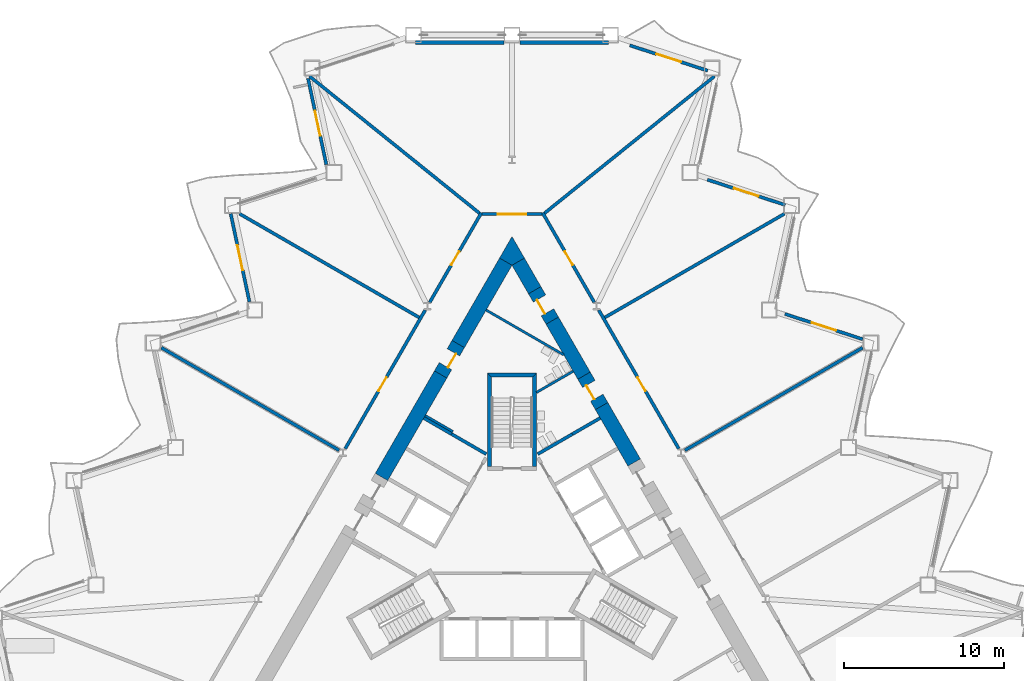
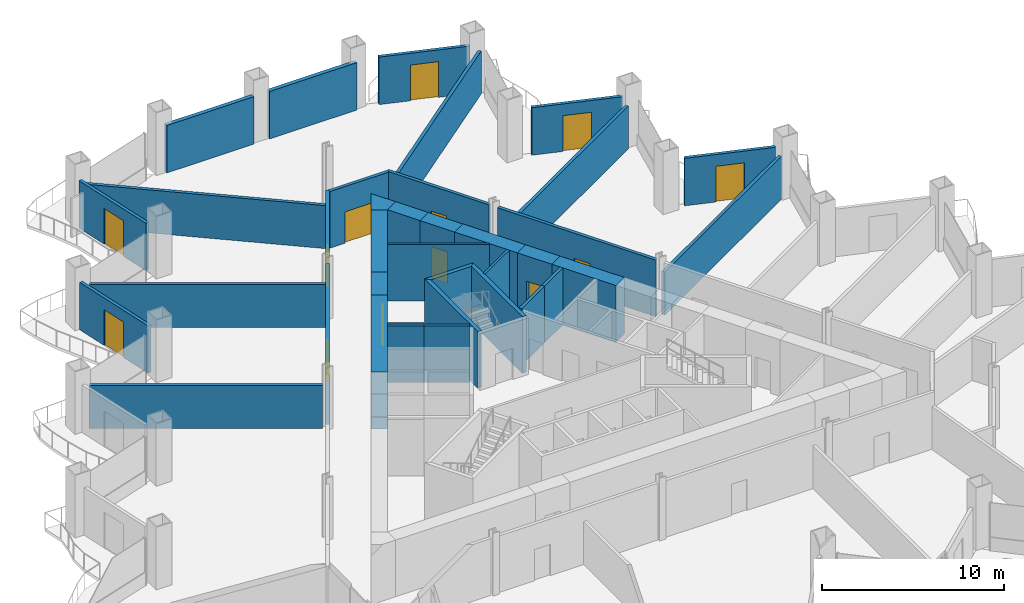
# One storey, part 12 of 21: 37 walls, 13 doors, 13 openings.
"""IFC4 building model written with IfcOpenShell, lengths in metres."""

from ifc_helpers import new_model, si_unit, direction, frame, frame_2d, origin, place, context, subcontext, project, spatial, polyline, rectangle, outline, extrude, material, layer, layer_set, type_object, element, fill, save


model = new_model("IFC4")

# Units and contexts
model_context = context("Model", 3, precision=1e-05, world=origin(), true_north=direction((0.0, 1.0)))
body_context = subcontext(model_context, "Body", "Model", "MODEL_VIEW")
ifc_project = project(units=[si_unit("LENGTHUNIT", "METRE"), si_unit("AREAUNIT", "SQUARE_METRE"), si_unit("VOLUMEUNIT", "CUBIC_METRE"), si_unit("PLANEANGLEUNIT", "RADIAN"), si_unit("MASSUNIT", "GRAM", prefix="KILO")], contexts=[model_context])

# Site, building, storey
site_placement = place(None, origin())
site = spatial("IfcSite", under=ifc_project, at=site_placement, CompositionType="ELEMENT")
building_placement = place(site_placement, origin())
building = spatial("IfcBuilding", under=site, at=building_placement, Name="Cormorant Prow Tower", CompositionType="ELEMENT")
storey_placement = place(building_placement, frame((0.0, 0.0, 46.800048828125)))
storey = spatial("IfcBuildingStorey", under=building, at=storey_placement, Name="L09", CompositionType="ELEMENT", Elevation=46.800048828125)

# Walls
ifc_material_1 = material(Name="Gypsum board partition")
ifc_layer_1 = layer(ifc_material_1, 0.14990234375)
ifc_layer_set_1 = layer_set([ifc_layer_1], Name="Gypsum board partition")
wall_type_1 = type_object("IfcWallType", Name="Core partition 150", PredefinedType="PARTITIONING", material=ifc_layer_set_1)
wall_1_placement = place(storey_placement, frame((-3.693359375, 7.4150390625, 0.0), z_axis=(0.0, 0.0, 1.0), x_axis=(-0.866035824272, 0.499981950752, 0.0)))
element("IfcWall", 1, at=wall_1_placement, inside=storey, type_object=wall_type_1, Name="Service room partition", PredefinedType="PARTITIONING", context=body_context, shape_type="SweptSolid", body=[
    extrude(rectangle(XDim=2.0087890625, YDim=0.14990234375, at=frame_2d((1.00439453125, 0.0))), origin(), (0.0, 0.0, 1.0), 3.800048828125),
])
wall_2_placement = place(storey_placement, frame((3.829345703125, 11.197265625, 0.0), z_axis=(0.0, 0.0, 1.0), x_axis=(-0.866016748302, -0.500014991436, 0.0)))
element("IfcWall", 2, at=wall_2_placement, inside=storey, type_object=wall_type_1, Name="Service room partition", PredefinedType="PARTITIONING", context=body_context, shape_type="SweptSolid", body=[
    extrude(rectangle(XDim=2.64892578125, YDim=0.14990234375, at=frame_2d((1.324462890625, 0.0))), origin(), (0.0, 0.0, 1.0), 3.800048828125),
])
wall_3_placement = place(storey_placement, frame((-1.61865234375, 15.0263671875, 0.0), z_axis=(0.0, 0.0, 1.0), x_axis=(0.866015917575, -0.500016430238, 0.0)))
element("IfcWall", 3, at=wall_3_placement, inside=storey, type_object=wall_type_1, Name="Service room partition", PredefinedType="PARTITIONING", context=body_context, shape_type="SweptSolid", body=[
    extrude(rectangle(XDim=5.607177734375, YDim=0.14990234375, at=frame_2d((2.8037109375, 0.0))), origin(), (0.0, 0.0, 1.0), 3.800048828125),
])
ifc_material_2 = material(Name="Concrete 8000 psi", Category="concrete")
ifc_layer_2 = layer(ifc_material_2, 0.89990234375)
ifc_layer_set_2 = layer_set([ifc_layer_2], Name="Concrete 8000 psi")
wall_type_2 = type_object("IfcWallType", Name="Core shear wall 900", PredefinedType="SHEAR", material=ifc_layer_set_2)
wall_4_placement = place(storey_placement, frame((7.646484375, 5.485595703125, 0.0), z_axis=(0.0, 0.0, 1.0), x_axis=(-0.499978218965, 0.866037978706, 0.0)))
element("IfcWall", 4, at=wall_4_placement, inside=storey, type_object=wall_type_2, Name="Core wall", PredefinedType="SHEAR", context=body_context, shape_type="SweptSolid", body=[
    extrude(rectangle(XDim=4.076416015625, YDim=0.89990234375, at=frame_2d((2.0380859375, 0.0))), origin(), (0.0, 0.0, 1.0), 3.800048828125),
])
wall_5_placement = place(storey_placement, frame((4.508544921875, 10.9208984375, 0.0), z_axis=(0.0, 0.0, 1.0), x_axis=(-0.49999004381, 0.866031151917, 0.0)))
element("IfcWall", 5, at=wall_5_placement, inside=storey, type_object=wall_type_2, Name="Core wall", PredefinedType="SHEAR", context=body_context, shape_type="SweptSolid", body=[
    extrude(rectangle(XDim=3.97509765625, YDim=0.89990234375, at=frame_2d((1.987548828125, 0.0))), origin(), (0.0, 0.0, 1.0), 3.800048828125),
])
wall_6_placement = place(storey_placement, frame((1.4208984375, 16.268798828125, 0.0), z_axis=(0.0, 0.0, 1.0), x_axis=(-0.500009360108, 0.866019999656, 0.0)))
element("IfcWall", 6, at=wall_6_placement, inside=storey, type_object=wall_type_2, Name="Core wall", PredefinedType="SHEAR", context=body_context, shape_type="SweptSolid", body=[
    extrude(rectangle(XDim=2.0625, YDim=0.89990234375, at=frame_2d((1.03125, 0.0))), origin(), (0.0, 0.0, 1.0), 3.800048828125),
])
wall_7_placement = place(storey_placement, frame((-4.465576171875, 10.995361328125, 0.0), z_axis=(0.0, 0.0, 1.0), x_axis=(-0.500012427149, -0.866018228848, 0.0)))
element("IfcWall", 7, at=wall_7_placement, inside=storey, type_object=wall_type_2, Name="Core wall", PredefinedType="SHEAR", context=body_context, shape_type="SweptSolid", body=[
    extrude(rectangle(XDim=7.409423828125, YDim=0.89990234375, at=frame_2d((3.70458984375, 0.0))), origin(), (0.0, 0.0, 1.0), 3.800048828125),
])
wall_8_placement = place(storey_placement, frame((-0.3896484375, 18.054931640625, 0.0), z_axis=(0.0, 0.0, 1.0), x_axis=(-0.499981657175, -0.86603599376, 0.0)))
element("IfcWall", 8, at=wall_8_placement, inside=storey, type_object=wall_type_2, Name="Core wall", PredefinedType="SHEAR", context=body_context, shape_type="SweptSolid", body=[
    extrude(rectangle(XDim=5.951904296875, YDim=0.89990234375, at=frame_2d((2.97607421875, 0.0))), origin(), (0.0, 0.0, 1.0), 3.800048828125),
])
wall_9_placement = place(storey_placement, origin())
element("IfcWall", 9, at=wall_9_placement, inside=storey, type_object=wall_type_2, Name="Core wall corner", PredefinedType="SHEAR", context=body_context, shape_type="SweptSolid", body=[
    extrude(outline(polyline([(-0.779296875, 18.27978515625), (0.0, 19.6298828125), (0.779296875, 18.27978515625), (0.0, 17.829833984375), (-0.779296875, 18.27978515625)])), origin(), (0.0, 0.0, 1.0), 3.800048828125),
])

# Wall, opening, door
wall_10_placement = place(storey_placement, frame((5.6083984375, 9.015869140625, 0.0), z_axis=(0.0, 0.0, 1.0), x_axis=(-0.499994660107, 0.866028486751, 0.0)))
wall_10 = element("IfcWall", 10, at=wall_10_placement, inside=storey, type_object=wall_type_2, Name="Core wall door panel", PredefinedType="SHEAR", context=body_context, shape_type="SweptSolid", body=[
    extrude(rectangle(XDim=2.19970703125, YDim=0.89990234375, at=frame_2d((1.099853515625, 0.0))), origin(), (0.0, 0.0, 1.0), 3.800048828125),
])
opening_1_placement = place(wall_10_placement, frame((0.60009765625, 0.0, 0.0)))
opening_1 = element("IfcOpeningElement", 11, at=opening_1_placement, cuts=wall_10, Name="Opening L09-C21", PredefinedType="OPENING", context=body_context, shape_type="SweptSolid", body=[
    extrude(rectangle(XDim=1.0, YDim=2.10009765625, at=frame_2d((0.5, 1.050048828125))), frame((0.0, 0.4599609375, 0.0), z_axis=(0.0, -1.0, 0.0), x_axis=(1.0, 0.0, 0.0)), (0.0, 0.0, 1.0), 0.919921875),
])
ifc_material_3 = material(Name="Painted steel", Category="steel")
door_type_1 = type_object("IfcDoorType", Name="Service door 1000x2100", OperationType="NOTDEFINED", PredefinedType="DOOR", material=ifc_material_3)
door_1_placement = place(opening_1_placement, origin())
door_1 = element("IfcDoor", 12, at=door_1_placement, inside=storey, type_object=door_type_1, Name="Core door, Toilets (men) L09", OperationType="SINGLE_SWING_RIGHT", OverallHeight=2.10009765625, OverallWidth=1.0, PredefinedType="DOOR", context=body_context, shape_type="SweptSolid", body=[
    extrude(rectangle(XDim=1.0, YDim=2.10009765625, at=frame_2d((0.5, 1.050048828125))), frame((0.0, 0.205078125, 0.0), z_axis=(0.0, -1.0, 0.0), x_axis=(1.0, 0.0, 0.0)), (0.0, 0.0, 1.0), 0.050048828125),
])
fill(opening_1, door_1)

wall_11_placement = place(storey_placement, frame((-3.365478515625, 12.900390625, 0.0), z_axis=(0.0, 0.0, 1.0), x_axis=(-0.500077893725, -0.86598042715, 0.0)))
wall_11 = element("IfcWall", 13, at=wall_11_placement, inside=storey, type_object=wall_type_2, Name="Core wall door panel", PredefinedType="SHEAR", context=body_context, shape_type="SweptSolid", body=[
    extrude(rectangle(XDim=2.199951171875, YDim=0.89990234375, at=frame_2d((1.10009765625, 0.0))), origin(), (0.0, 0.0, 1.0), 3.800048828125),
])
opening_2_placement = place(wall_11_placement, frame((0.60009765625, 0.0, 0.0)))
opening_2 = element("IfcOpeningElement", 14, at=opening_2_placement, cuts=wall_11, Name="Opening L09-C22", PredefinedType="OPENING", context=body_context, shape_type="SweptSolid", body=[
    extrude(rectangle(XDim=1.0, YDim=2.10009765625, at=frame_2d((0.5, 1.050048828125))), frame((0.0, 0.4599609375, 0.0), z_axis=(0.0, -1.0, 0.0), x_axis=(1.0, 0.0, 0.0)), (0.0, 0.0, 1.0), 0.919921875),
])
door_2_placement = place(opening_2_placement, origin())
door_2 = element("IfcDoor", 15, at=door_2_placement, inside=storey, type_object=door_type_1, Name="Core door, Toilets (women) L09", OperationType="SINGLE_SWING_RIGHT", OverallHeight=2.10009765625, OverallWidth=1.0, PredefinedType="DOOR", context=body_context, shape_type="SweptSolid", body=[
    extrude(rectangle(XDim=1.0, YDim=2.10009765625, at=frame_2d((0.5, 1.050048828125))), frame((0.0, 0.205078125, 0.0), z_axis=(0.0, -1.0, 0.0), x_axis=(1.0, 0.0, 0.0)), (0.0, 0.0, 1.0), 0.050048828125),
])
fill(opening_2, door_2)

wall_12_placement = place(storey_placement, frame((2.52099609375, 14.363525390625, 0.0), z_axis=(0.0, 0.0, 1.0), x_axis=(-0.50002983664, 0.866008176907, 0.0)))
wall_12 = element("IfcWall", 16, at=wall_12_placement, inside=storey, type_object=wall_type_2, Name="Core wall door panel", PredefinedType="SHEAR", context=body_context, shape_type="SweptSolid", body=[
    extrude(rectangle(XDim=2.199951171875, YDim=0.89990234375, at=frame_2d((1.10009765625, 0.0))), origin(), (0.0, 0.0, 1.0), 3.800048828125),
])
opening_3_placement = place(wall_12_placement, frame((0.60009765625, 0.0, 0.0)))
opening_3 = element("IfcOpeningElement", 17, at=opening_3_placement, cuts=wall_12, Name="Opening L09-C23", PredefinedType="OPENING", context=body_context, shape_type="SweptSolid", body=[
    extrude(rectangle(XDim=1.0, YDim=2.10009765625, at=frame_2d((0.5, 1.050048828125))), frame((0.0, 0.4599609375, 0.0), z_axis=(0.0, -1.0, 0.0), x_axis=(1.0, 0.0, 0.0)), (0.0, 0.0, 1.0), 0.919921875),
])
door_3_placement = place(opening_3_placement, origin())
door_3 = element("IfcDoor", 18, at=door_3_placement, inside=storey, type_object=door_type_1, Name="Core door, Telecom room", OperationType="SINGLE_SWING_RIGHT", OverallHeight=2.10009765625, OverallWidth=1.0, PredefinedType="DOOR", context=body_context, shape_type="SweptSolid", body=[
    extrude(rectangle(XDim=1.0, YDim=2.10009765625, at=frame_2d((0.5, 1.050048828125))), frame((0.0, 0.205078125, 0.0), z_axis=(0.0, -1.0, 0.0), x_axis=(1.0, 0.0, 0.0)), (0.0, 0.0, 1.0), 0.050048828125),
])
fill(opening_3, door_3)

ifc_material_4 = material(Name="Gypsum board corridor wall")
ifc_layer_3 = layer(ifc_material_4, 0.199951171875)
ifc_layer_set_3 = layer_set([ifc_layer_3], Name="Gypsum board corridor wall")
wall_type_3 = type_object("IfcWallType", Name="Corridor wall 200", PredefinedType="PARTITIONING", material=ifc_layer_set_3)
wall_13_placement = place(storey_placement, frame((-10.438720703125, 6.349853515625, 0.0), z_axis=(0.0, 0.0, 1.0), x_axis=(0.50001002959, 0.86601961312, 0.0)))
wall_13 = element("IfcWall", 19, at=wall_13_placement, inside=storey, type_object=wall_type_3, Name="Corridor wall", PredefinedType="PARTITIONING", context=body_context, shape_type="SweptSolid", body=[
    extrude(rectangle(XDim=10.018798828125, YDim=0.199951171875, at=frame_2d((5.00927734375, 0.0))), origin(), (0.0, 0.0, 1.0), 3.800048828125),
])
opening_4_placement = place(wall_13_placement, frame((4.15869140625, 0.0, 0.0)))
opening_4 = element("IfcOpeningElement", 20, at=opening_4_placement, cuts=wall_13, Name="Opening L09-F15", PredefinedType="OPENING", context=body_context, shape_type="SweptSolid", body=[
    extrude(rectangle(XDim=1.0, YDim=2.10009765625, at=frame_2d((0.5, 1.050048828125))), frame((0.0, 0.10986328125, 0.0), z_axis=(0.0, -1.0, 0.0), x_axis=(1.0, 0.0, 0.0)), (0.0, 0.0, 1.0), 0.219970703125),
])
ifc_material_5 = material(Name="Timber door leaf", Category="wood")
door_type_2 = type_object("IfcDoorType", Name="Office door 1000x2100", OperationType="NOTDEFINED", PredefinedType="DOOR", material=ifc_material_5)
door_4_placement = place(opening_4_placement, origin())
door_4 = element("IfcDoor", 21, at=door_4_placement, inside=storey, type_object=door_type_2, Name="Tenant suite door", OperationType="SINGLE_SWING_LEFT", OverallHeight=2.10009765625, OverallWidth=1.0, PredefinedType="DOOR", context=body_context, shape_type="SweptSolid", body=[
    extrude(rectangle(XDim=1.0, YDim=2.10009765625, at=frame_2d((0.5, 1.050048828125))), frame((0.0, 0.02490234375, 0.0), z_axis=(0.0, -1.0, 0.0), x_axis=(1.0, 0.0, 0.0)), (0.0, 0.0, 1.0), 0.050048828125),
])
fill(opening_4, door_4)

wall_14_placement = place(storey_placement, frame((5.42919921875, 15.0263671875, 0.0), z_axis=(0.0, 0.0, 1.0), x_axis=(0.50001002959, -0.86601961312, 0.0)))
wall_14 = element("IfcWall", 22, at=wall_14_placement, inside=storey, type_object=wall_type_3, Name="Corridor wall", PredefinedType="PARTITIONING", context=body_context, shape_type="SweptSolid", body=[
    extrude(rectangle(XDim=10.018798828125, YDim=0.199951171875, at=frame_2d((5.00927734375, 0.0))), origin(), (0.0, 0.0, 1.0), 3.800048828125),
])
opening_5_placement = place(wall_14_placement, frame((4.860107421875, 0.0, 0.0)))
opening_5 = element("IfcOpeningElement", 23, at=opening_5_placement, cuts=wall_14, Name="Opening L09-F11", PredefinedType="OPENING", context=body_context, shape_type="SweptSolid", body=[
    extrude(rectangle(XDim=1.0, YDim=2.10009765625, at=frame_2d((0.5, 1.050048828125))), frame((0.0, 0.10986328125, 0.0), z_axis=(0.0, -1.0, 0.0), x_axis=(1.0, 0.0, 0.0)), (0.0, 0.0, 1.0), 0.219970703125),
])
door_5_placement = place(opening_5_placement, origin())
door_5 = element("IfcDoor", 24, at=door_5_placement, inside=storey, type_object=door_type_2, Name="Co-working room door", OperationType="SINGLE_SWING_RIGHT", OverallHeight=2.10009765625, OverallWidth=1.0, PredefinedType="DOOR", context=body_context, shape_type="SweptSolid", body=[
    extrude(rectangle(XDim=1.0, YDim=2.10009765625, at=frame_2d((0.5, 1.050048828125))), frame((0.0, 0.02490234375, 0.0), z_axis=(0.0, -1.0, 0.0), x_axis=(1.0, 0.0, 0.0)), (0.0, 0.0, 1.0), 0.050048828125),
])
fill(opening_5, door_5)

wall_15_placement = place(storey_placement, frame((1.9130859375, 21.116455078125, 0.0), z_axis=(0.0, 0.0, 1.0), x_axis=(0.500001069878, -0.866024786089, 0.0)))
wall_15 = element("IfcWall", 25, at=wall_15_placement, inside=storey, type_object=wall_type_3, Name="Corridor wall", PredefinedType="PARTITIONING", context=body_context, shape_type="SweptSolid", body=[
    extrude(rectangle(XDim=6.47265625, YDim=0.199951171875, at=frame_2d((3.236328125, 0.0))), origin(), (0.0, 0.0, 1.0), 3.800048828125),
])
opening_6_placement = place(wall_15_placement, frame((2.787109375, 0.0, 0.0)))
opening_6 = element("IfcOpeningElement", 26, at=opening_6_placement, cuts=wall_15, Name="Opening L09-F12", PredefinedType="OPENING", context=body_context, shape_type="SweptSolid", body=[
    extrude(rectangle(XDim=1.0, YDim=2.10009765625, at=frame_2d((0.5, 1.050048828125))), frame((0.0, 0.10986328125, 0.0), z_axis=(0.0, -1.0, 0.0), x_axis=(1.0, 0.0, 0.0)), (0.0, 0.0, 1.0), 0.219970703125),
])
door_6_placement = place(opening_6_placement, origin())
door_6 = element("IfcDoor", 27, at=door_6_placement, inside=storey, type_object=door_type_2, Name="Tenant suite door", OperationType="SINGLE_SWING_RIGHT", OverallHeight=2.10009765625, OverallWidth=1.0, PredefinedType="DOOR", context=body_context, shape_type="SweptSolid", body=[
    extrude(rectangle(XDim=1.0, YDim=2.10009765625, at=frame_2d((0.5, 1.050048828125))), frame((0.0, 0.02490234375, 0.0), z_axis=(0.0, -1.0, 0.0), x_axis=(1.0, 0.0, 0.0)), (0.0, 0.0, 1.0), 0.050048828125),
])
fill(opening_6, door_6)

wall_16_placement = place(storey_placement, frame((-5.1494140625, 15.510986328125, 0.0), z_axis=(0.0, 0.0, 1.0), x_axis=(0.500001069878, 0.866024786089, 0.0)))
wall_16 = element("IfcWall", 28, at=wall_16_placement, inside=storey, type_object=wall_type_3, Name="Corridor wall", PredefinedType="PARTITIONING", context=body_context, shape_type="SweptSolid", body=[
    extrude(rectangle(XDim=6.47265625, YDim=0.199951171875, at=frame_2d((3.236328125, 0.0))), origin(), (0.0, 0.0, 1.0), 3.800048828125),
])
opening_7_placement = place(wall_16_placement, frame((2.685546875, 0.0, 0.0)))
opening_7 = element("IfcOpeningElement", 29, at=opening_7_placement, cuts=wall_16, Name="Opening L09-F14", PredefinedType="OPENING", context=body_context, shape_type="SweptSolid", body=[
    extrude(rectangle(XDim=1.0, YDim=2.10009765625, at=frame_2d((0.5, 1.050048828125))), frame((0.0, 0.10986328125, 0.0), z_axis=(0.0, -1.0, 0.0), x_axis=(1.0, 0.0, 0.0)), (0.0, 0.0, 1.0), 0.219970703125),
])
door_7_placement = place(opening_7_placement, origin())
door_7 = element("IfcDoor", 30, at=door_7_placement, inside=storey, type_object=door_type_2, Name="Open-plan office door", OperationType="SINGLE_SWING_LEFT", OverallHeight=2.10009765625, OverallWidth=1.0, PredefinedType="DOOR", context=body_context, shape_type="SweptSolid", body=[
    extrude(rectangle(XDim=1.0, YDim=2.10009765625, at=frame_2d((0.5, 1.050048828125))), frame((0.0, 0.02490234375, 0.0), z_axis=(0.0, -1.0, 0.0), x_axis=(1.0, 0.0, 0.0)), (0.0, 0.0, 1.0), 0.050048828125),
])
fill(opening_7, door_7)

wall_17_placement = place(storey_placement, frame((-1.863037109375, 21.02978515625, 0.0), z_axis=(0.0, 0.0, 1.0), x_axis=(1.0, 0.0, 0.0)))
wall_17 = element("IfcWall", 31, at=wall_17_placement, inside=storey, type_object=wall_type_3, Name="Corridor wall", PredefinedType="PARTITIONING", context=body_context, shape_type="SweptSolid", body=[
    extrude(rectangle(XDim=3.72607421875, YDim=0.199951171875, at=frame_2d((1.863037109375, 0.0))), origin(), (0.0, 0.0, 1.0), 3.800048828125),
])
opening_8_placement = place(wall_17_placement, frame((0.962890625, 0.0, 0.0)))
opening_8 = element("IfcOpeningElement", 32, at=opening_8_placement, cuts=wall_17, Name="Opening L09-F13", PredefinedType="OPENING", context=body_context, shape_type="SweptSolid", body=[
    extrude(rectangle(XDim=1.800048828125, YDim=2.10009765625, at=frame_2d((0.89990234375, 1.050048828125))), frame((0.0, 0.10986328125, 0.0), z_axis=(0.0, -1.0, 0.0), x_axis=(1.0, 0.0, 0.0)), (0.0, 0.0, 1.0), 0.219970703125),
])
ifc_material_6 = material(Name="Timber door leaf", Category="wood")
door_type_3 = type_object("IfcDoorType", Name="Double door 1800x2100", OperationType="DOUBLE_DOOR_SINGLE_SWING", PredefinedType="DOOR", material=ifc_material_6)
door_8_placement = place(opening_8_placement, origin())
door_8 = element("IfcDoor", 33, at=door_8_placement, inside=storey, type_object=door_type_3, Name="Open-plan office door", OperationType="DOUBLE_DOOR_SINGLE_SWING", OverallHeight=2.10009765625, OverallWidth=1.800048828125, PredefinedType="DOOR", context=body_context, shape_type="SweptSolid", body=[
    extrude(rectangle(XDim=1.800048828125, YDim=2.10009765625, at=frame_2d((0.89990234375, 1.050048828125))), frame((0.0, 0.02490234375, 0.0), z_axis=(0.0, -1.0, 0.0), x_axis=(1.0, 0.0, 0.0)), (0.0, 0.0, 1.0), 0.050048828125),
])
fill(opening_8, door_8)

# Walls
ifc_material_7 = material(Name="Gypsum board demising wall")
ifc_layer_4 = layer(ifc_material_7, 0.199951171875)
ifc_layer_set_4 = layer_set([ifc_layer_4], Name="Gypsum board demising wall")
wall_type_4 = type_object("IfcWallType", Name="Demising wall 200", PredefinedType="PARTITIONING", material=ifc_layer_set_4)
for number, where, z_axis, x_axis, name in (
    (34, (2.041015625, 21.092529296875, 0.0), (0.0, 0.0, 1.0), (0.778730857737, 0.627358152261, 0.0), "Demising wall"),
    (35, (-12.674072265625, 29.65869140625, 0.0), (0.0, 0.0, 1.0), (0.778730857737, -0.627358152261, 0.0), "Demising wall"),
):
    element("IfcWall", number, at=place(storey_placement, frame(where, z_axis=z_axis, x_axis=x_axis)), inside=storey, type_object=wall_type_4, Name=name, PredefinedType="PARTITIONING", context=body_context, shape_type="SweptSolid", body=[
        extrude(rectangle(XDim=13.654296875, YDim=0.199951171875, at=frame_2d((6.8271484375, 0.0))), origin(), (0.0, 0.0, 1.0), 2.88525390625),
    ])
for number, where, z_axis, x_axis, name in (
    (36, (5.8125, 14.5625, 0.0), (0.0, 0.0, 1.0), (0.866020631549, 0.500008265664, 0.0), "Demising wall"),
    (37, (-17.061279296875, 21.05712890625, 0.0), (0.0, 0.0, 1.0), (0.866020631549, -0.500008265664, 0.0), "Demising wall"),
):
    element("IfcWall", number, at=place(storey_placement, frame(where, z_axis=z_axis, x_axis=x_axis)), inside=storey, type_object=wall_type_4, Name=name, PredefinedType="PARTITIONING", context=body_context, shape_type="SweptSolid", body=[
        extrude(rectangle(XDim=12.989013671875, YDim=0.199951171875, at=frame_2d((6.49462890625, 0.0))), origin(), (0.0, 0.0, 1.0), 2.88525390625),
    ])
for number, where, z_axis, x_axis, name in (
    (38, (10.82080078125, 6.247314453125, 0.0), (0.0, 0.0, 1.0), (0.866026729935, 0.499997703033, 0.0), "Demising wall"),
    (39, (-21.947265625, 12.671142578125, 0.0), (0.0, 0.0, 1.0), (0.866026729935, -0.499997703033, 0.0), "Demising wall"),
):
    element("IfcWall", number, at=place(storey_placement, frame(where, z_axis=z_axis, x_axis=x_axis)), inside=storey, type_object=wall_type_4, Name=name, PredefinedType="PARTITIONING", context=body_context, shape_type="SweptSolid", body=[
        extrude(rectangle(XDim=12.84765625, YDim=0.199951171875, at=frame_2d((6.423828125, 0.0))), origin(), (0.0, 0.0, 1.0), 2.88525390625),
    ])
ifc_material_8 = material(Name="Concrete 8000 psi", Category="concrete")
ifc_layer_5 = layer(ifc_material_8, 0.199951171875)
ifc_layer_set_5 = layer_set([ifc_layer_5], Name="Concrete 8000 psi")
wall_type_5 = type_object("IfcWallType", Name="Lift shaft wall 200", PredefinedType="SHEAR", material=ifc_layer_set_5)
wall_18_placement = place(storey_placement, origin())
element("IfcWall", 40, at=wall_18_placement, inside=storey, type_object=wall_type_5, Name="Lift shaft walls, ENE block", PredefinedType="SHEAR", context=body_context, shape_type="SweptSolid", body=[
    extrude(outline(polyline([(1.560546875, 6.09716796875), (3.730712890625, 7.35009765625), (3.830810546875, 7.177001953125), (1.660400390625, 5.923828125), (1.560546875, 6.09716796875)])), origin(), (0.0, 0.0, 1.0), 3.800048828125),
])
wall_19_placement = place(storey_placement, frame((3.78076171875, 7.263427734375, 0.0), z_axis=(0.0, 0.0, 1.0), x_axis=(0.865983199114, 0.50007309351, 0.0)))
element("IfcWall", 41, at=wall_19_placement, inside=storey, type_object=wall_type_5, Name="Store side wall", PredefinedType="SHEAR", context=body_context, shape_type="SweptSolid", body=[
    extrude(rectangle(XDim=2.009033203125, YDim=0.199951171875, at=frame_2d((1.00439453125, 0.0))), origin(), (0.0, 0.0, 1.0), 3.800048828125),
])
wall_20_placement = place(storey_placement, origin())
element("IfcWall", 42, at=wall_20_placement, inside=storey, type_object=wall_type_5, Name="Lift shaft walls, WNW block", PredefinedType="SHEAR", context=body_context, shape_type="SweptSolid", body=[
    extrude(outline(polyline([(-3.730712890625, 7.35009765625), (-1.560546875, 6.09716796875), (-1.660400390625, 5.923828125), (-3.830810546875, 7.177001953125), (-3.730712890625, 7.35009765625)])), origin(), (0.0, 0.0, 1.0), 3.800048828125),
])
wall_21_placement = place(storey_placement, frame((-3.78076171875, 7.263427734375, 0.0), z_axis=(0.0, 0.0, 1.0), x_axis=(-0.865983199114, 0.50007309351, 0.0)))
element("IfcWall", 43, at=wall_21_placement, inside=storey, type_object=wall_type_5, Name="Store side wall", PredefinedType="SHEAR", context=body_context, shape_type="SweptSolid", body=[
    extrude(rectangle(XDim=2.009033203125, YDim=0.199951171875, at=frame_2d((1.00439453125, 0.0))), origin(), (0.0, 0.0, 1.0), 3.800048828125),
])
ifc_material_9 = material(Name="Concrete 8000 psi", Category="concrete")
ifc_layer_6 = layer(ifc_material_9, 0.25)
ifc_layer_set_6 = layer_set([ifc_layer_6], Name="Concrete 8000 psi")
wall_type_6 = type_object("IfcWallType", Name="Stair wall 250", PredefinedType="SHEAR", material=ifc_layer_set_6)
wall_22_placement = place(storey_placement, origin())
element("IfcWall", 44, at=wall_22_placement, inside=storey, type_object=wall_type_6, Name="Stair ST3 enclosure wall (flank)", PredefinedType="SHEAR", context=body_context, shape_type="SweptSolid", body=[
    extrude(outline(polyline([(1.5439453125, 5.23681640625), (1.5439453125, 11.0869140625), (1.2939453125, 10.8369140625), (1.2939453125, 5.23681640625), (1.5439453125, 5.23681640625)])), origin(), (0.0, 0.0, 1.0), 3.800048828125),
])
wall_23_placement = place(storey_placement, origin())
element("IfcWall", 45, at=wall_23_placement, inside=storey, type_object=wall_type_6, Name="Stair ST3 enclosure wall (end)", PredefinedType="SHEAR", context=body_context, shape_type="SweptSolid", body=[
    extrude(outline(polyline([(1.5439453125, 11.0869140625), (-1.5439453125, 11.0869140625), (-1.2939453125, 10.8369140625), (1.2939453125, 10.8369140625), (1.5439453125, 11.0869140625)])), origin(), (0.0, 0.0, 1.0), 3.800048828125),
])
wall_24_placement = place(storey_placement, origin())
element("IfcWall", 46, at=wall_24_placement, inside=storey, type_object=wall_type_6, Name="Stair ST3 enclosure wall (flank)", PredefinedType="SHEAR", context=body_context, shape_type="SweptSolid", body=[
    extrude(outline(polyline([(-1.2939453125, 10.8369140625), (-1.5439453125, 11.0869140625), (-1.5439453125, 5.23681640625), (-1.2939453125, 5.23681640625), (-1.2939453125, 10.8369140625)])), origin(), (0.0, 0.0, 1.0), 3.800048828125),
])
ifc_material_10 = material(Name="Terracotta", Category="masonry")
ifc_layer_7 = layer(ifc_material_10, 0.25)
ifc_layer_set_7 = layer_set([ifc_layer_7], Name="Terracotta")
wall_type_7 = type_object("IfcWallType", Name="Terracotta bay wall 250", PredefinedType="SOLIDWALL", material=ifc_layer_set_7)
for number, where, z_axis, x_axis, name in (
    (47, (6.03369140625, 31.78125, 0.0), (0.0, 0.0, 1.0), (-1.0, 0.0, 0.0), "Terracotta bay wall N00"),
    (48, (-0.5, 31.78125, 0.0), (0.0, 0.0, 1.0), (-1.0, 0.0, 0.0), "Terracotta bay wall N01"),
):
    element("IfcWall", number, at=place(storey_placement, frame(where, z_axis=z_axis, x_axis=x_axis)), inside=storey, type_object=wall_type_7, Name=name, PredefinedType="SOLIDWALL", context=body_context, shape_type="SweptSolid", body=[
        extrude(rectangle(XDim=5.53369140625, YDim=0.25, at=frame_2d((2.766845703125, 0.0))), origin(), (0.0, 0.0, 1.0), 3.18896484375),
    ])

# Wall, opening, door
ifc_material_11 = material(Name="Terracotta", Category="masonry")
ifc_layer_8 = layer(ifc_material_11, 0.199951171875)
ifc_layer_set_8 = layer_set([ifc_layer_8], Name="Terracotta")
wall_type_8 = type_object("IfcWallType", Name="Terracotta jamb wall 200", PredefinedType="SOLIDWALL", material=ifc_layer_set_8)
wall_25_placement = place(storey_placement, frame((21.952880859375, 13.200439453125, 0.0), z_axis=(0.0, 0.0, 1.0), x_axis=(-0.951052624268, 0.309028972547, 0.0)))
wall_25 = element("IfcWall", 49, at=wall_25_placement, inside=storey, type_object=wall_type_8, Name="Terracotta jamb wall ENE05", PredefinedType="SOLIDWALL", context=body_context, shape_type="SweptSolid", body=[
    extrude(rectangle(XDim=5.1240234375, YDim=0.199951171875, at=frame_2d((2.56201171875, 0.0))), origin(), (0.0, 0.0, 1.0), 3.18896484375),
])
opening_9_placement = place(wall_25_placement, frame((1.761962890625, 0.0, 0.0)))
opening_9 = element("IfcOpeningElement", 50, at=opening_9_placement, cuts=wall_25, Name="Opening ED09.08", PredefinedType="OPENING", context=body_context, shape_type="SweptSolid", body=[
    extrude(rectangle(XDim=1.60009765625, YDim=2.39990234375, at=frame_2d((0.800048828125, 1.199951171875))), frame((0.0, 0.10986328125, 0.0), z_axis=(0.0, -1.0, 0.0), x_axis=(1.0, 0.0, 0.0)), (0.0, 0.0, 1.0), 0.219970703125),
])
ifc_material_12 = material(Name="Aluminium 6063-T6", Category="aluminium")
door_type_4 = type_object("IfcDoorType", Name="Balcony door 1600x2400", OperationType="DOUBLE_DOOR_SINGLE_SWING", PredefinedType="DOOR", material=ifc_material_12)
door_9_placement = place(opening_9_placement, origin())
door_9 = element("IfcDoor", 51, at=door_9_placement, inside=storey, type_object=door_type_4, Name="Balcony door ENE05 ED09.08", OperationType="DOUBLE_DOOR_SINGLE_SWING", OverallHeight=2.39990234375, OverallWidth=1.60009765625, PredefinedType="DOOR", context=body_context, shape_type="SweptSolid", body=[
    extrude(rectangle(XDim=1.60009765625, YDim=2.39990234375, at=frame_2d((0.800048828125, 1.199951171875))), frame((0.0, 0.02490234375, 0.0), z_axis=(0.0, -1.0, 0.0), x_axis=(1.0, 0.0, 0.0)), (0.0, 0.0, 1.0), 0.050048828125),
])
fill(opening_9, door_9)

wall_26_placement = place(storey_placement, frame((17.10009765625, 21.60546875, 0.0), z_axis=(0.0, 0.0, 1.0), x_axis=(-0.951048073862, 0.309042976306, 0.0)))
wall_26 = element("IfcWall", 52, at=wall_26_placement, inside=storey, type_object=wall_type_8, Name="Terracotta jamb wall ENE07", PredefinedType="SOLIDWALL", context=body_context, shape_type="SweptSolid", body=[
    extrude(rectangle(XDim=5.123779296875, YDim=0.199951171875, at=frame_2d((2.56201171875, 0.0))), origin(), (0.0, 0.0, 1.0), 3.18896484375),
])
opening_10_placement = place(wall_26_placement, frame((1.761962890625, 0.0, 0.0)))
opening_10 = element("IfcOpeningElement", 53, at=opening_10_placement, cuts=wall_26, Name="Opening ED09.09", PredefinedType="OPENING", context=body_context, shape_type="SweptSolid", body=[
    extrude(rectangle(XDim=1.60009765625, YDim=2.39990234375, at=frame_2d((0.800048828125, 1.199951171875))), frame((0.0, 0.10986328125, 0.0), z_axis=(0.0, -1.0, 0.0), x_axis=(1.0, 0.0, 0.0)), (0.0, 0.0, 1.0), 0.219970703125),
])
door_10_placement = place(opening_10_placement, origin())
door_10 = element("IfcDoor", 54, at=door_10_placement, inside=storey, type_object=door_type_4, Name="Balcony door ENE07 ED09.09", OperationType="DOUBLE_DOOR_SINGLE_SWING", OverallHeight=2.39990234375, OverallWidth=1.60009765625, PredefinedType="DOOR", context=body_context, shape_type="SweptSolid", body=[
    extrude(rectangle(XDim=1.60009765625, YDim=2.39990234375, at=frame_2d((0.800048828125, 1.199951171875))), frame((0.0, 0.02490234375, 0.0), z_axis=(0.0, -1.0, 0.0), x_axis=(1.0, 0.0, 0.0)), (0.0, 0.0, 1.0), 0.050048828125),
])
fill(opening_10, door_10)

wall_27_placement = place(storey_placement, frame((12.24755859375, 30.010498046875, 0.0), z_axis=(0.0, 0.0, 1.0), x_axis=(-0.951052624268, 0.309028972547, 0.0)))
wall_27 = element("IfcWall", 55, at=wall_27_placement, inside=storey, type_object=wall_type_8, Name="Terracotta jamb wall ENE09", PredefinedType="SOLIDWALL", context=body_context, shape_type="SweptSolid", body=[
    extrude(rectangle(XDim=5.1240234375, YDim=0.199951171875, at=frame_2d((2.56201171875, 0.0))), origin(), (0.0, 0.0, 1.0), 3.18896484375),
])
opening_11_placement = place(wall_27_placement, frame((1.761962890625, 0.0, 0.0)))
opening_11 = element("IfcOpeningElement", 56, at=opening_11_placement, cuts=wall_27, Name="Opening ED09.10", PredefinedType="OPENING", context=body_context, shape_type="SweptSolid", body=[
    extrude(rectangle(XDim=1.60009765625, YDim=2.39990234375, at=frame_2d((0.800048828125, 1.199951171875))), frame((0.0, 0.10986328125, 0.0), z_axis=(0.0, -1.0, 0.0), x_axis=(1.0, 0.0, 0.0)), (0.0, 0.0, 1.0), 0.219970703125),
])
door_11_placement = place(opening_11_placement, origin())
door_11 = element("IfcDoor", 57, at=door_11_placement, inside=storey, type_object=door_type_4, Name="Balcony door ENE09 ED09.10", OperationType="DOUBLE_DOOR_SINGLE_SWING", OverallHeight=2.39990234375, OverallWidth=1.60009765625, PredefinedType="DOOR", context=body_context, shape_type="SweptSolid", body=[
    extrude(rectangle(XDim=1.60009765625, YDim=2.39990234375, at=frame_2d((0.800048828125, 1.199951171875))), frame((0.0, 0.02490234375, 0.0), z_axis=(0.0, -1.0, 0.0), x_axis=(1.0, 0.0, 0.0)), (0.0, 0.0, 1.0), 0.050048828125),
])
fill(opening_11, door_11)

wall_28_placement = place(storey_placement, frame((-12.767822265625, 29.526123046875, 0.0), z_axis=(0.0, 0.0, 1.0), x_axis=(0.207902173992, -0.978149623549, 0.0)))
wall_28 = element("IfcWall", 58, at=wall_28_placement, inside=storey, type_object=wall_type_8, Name="Terracotta jamb wall WNW01", PredefinedType="SOLIDWALL", context=body_context, shape_type="SweptSolid", body=[
    extrude(rectangle(XDim=5.5146484375, YDim=0.199951171875, at=frame_2d((2.75732421875, 0.0))), origin(), (0.0, 0.0, 1.0), 3.18896484375),
])
opening_12_placement = place(wall_28_placement, frame((2.0732421875, 0.0, 0.0)))
opening_12 = element("IfcOpeningElement", 59, at=opening_12_placement, cuts=wall_28, Name="Opening ED09.11", PredefinedType="OPENING", context=body_context, shape_type="SweptSolid", body=[
    extrude(rectangle(XDim=1.60009765625, YDim=2.39990234375, at=frame_2d((0.800048828125, 1.199951171875))), frame((0.0, 0.10986328125, 0.0), z_axis=(0.0, -1.0, 0.0), x_axis=(1.0, 0.0, 0.0)), (0.0, 0.0, 1.0), 0.219970703125),
])
door_12_placement = place(opening_12_placement, origin())
door_12 = element("IfcDoor", 60, at=door_12_placement, inside=storey, type_object=door_type_4, Name="Balcony door WNW01 ED09.11", OperationType="DOUBLE_DOOR_SINGLE_SWING", OverallHeight=2.39990234375, OverallWidth=1.60009765625, PredefinedType="DOOR", context=body_context, shape_type="SweptSolid", body=[
    extrude(rectangle(XDim=1.60009765625, YDim=2.39990234375, at=frame_2d((0.800048828125, 1.199951171875))), frame((0.0, 0.02490234375, 0.0), z_axis=(0.0, -1.0, 0.0), x_axis=(1.0, 0.0, 0.0)), (0.0, 0.0, 1.0), 0.050048828125),
])
fill(opening_12, door_12)

wall_29_placement = place(storey_placement, frame((-17.60546875, 21.050537109375, 0.0), z_axis=(0.0, 0.0, 1.0), x_axis=(0.207901831982, -0.978149696242, 0.0)))
wall_29 = element("IfcWall", 61, at=wall_29_placement, inside=storey, type_object=wall_type_8, Name="Terracotta jamb wall WNW03", PredefinedType="SOLIDWALL", context=body_context, shape_type="SweptSolid", body=[
    extrude(rectangle(XDim=5.626220703125, YDim=0.199951171875, at=frame_2d((2.81298828125, 0.0))), origin(), (0.0, 0.0, 1.0), 3.18896484375),
])
opening_13_placement = place(wall_29_placement, frame((2.001220703125, 0.0, 0.0)))
opening_13 = element("IfcOpeningElement", 62, at=opening_13_placement, cuts=wall_29, Name="Opening ED09.12", PredefinedType="OPENING", context=body_context, shape_type="SweptSolid", body=[
    extrude(rectangle(XDim=1.60009765625, YDim=2.39990234375, at=frame_2d((0.800048828125, 1.199951171875))), frame((0.0, 0.10986328125, 0.0), z_axis=(0.0, -1.0, 0.0), x_axis=(1.0, 0.0, 0.0)), (0.0, 0.0, 1.0), 0.219970703125),
])
door_13_placement = place(opening_13_placement, origin())
door_13 = element("IfcDoor", 63, at=door_13_placement, inside=storey, type_object=door_type_4, Name="Balcony door WNW03 ED09.12", OperationType="DOUBLE_DOOR_SINGLE_SWING", OverallHeight=2.39990234375, OverallWidth=1.60009765625, PredefinedType="DOOR", context=body_context, shape_type="SweptSolid", body=[
    extrude(rectangle(XDim=1.60009765625, YDim=2.39990234375, at=frame_2d((0.800048828125, 1.199951171875))), frame((0.0, 0.02490234375, 0.0), z_axis=(0.0, -1.0, 0.0), x_axis=(1.0, 0.0, 0.0)), (0.0, 0.0, 1.0), 0.050048828125),
])
fill(opening_13, door_13)

save(model, "model.ifc")
